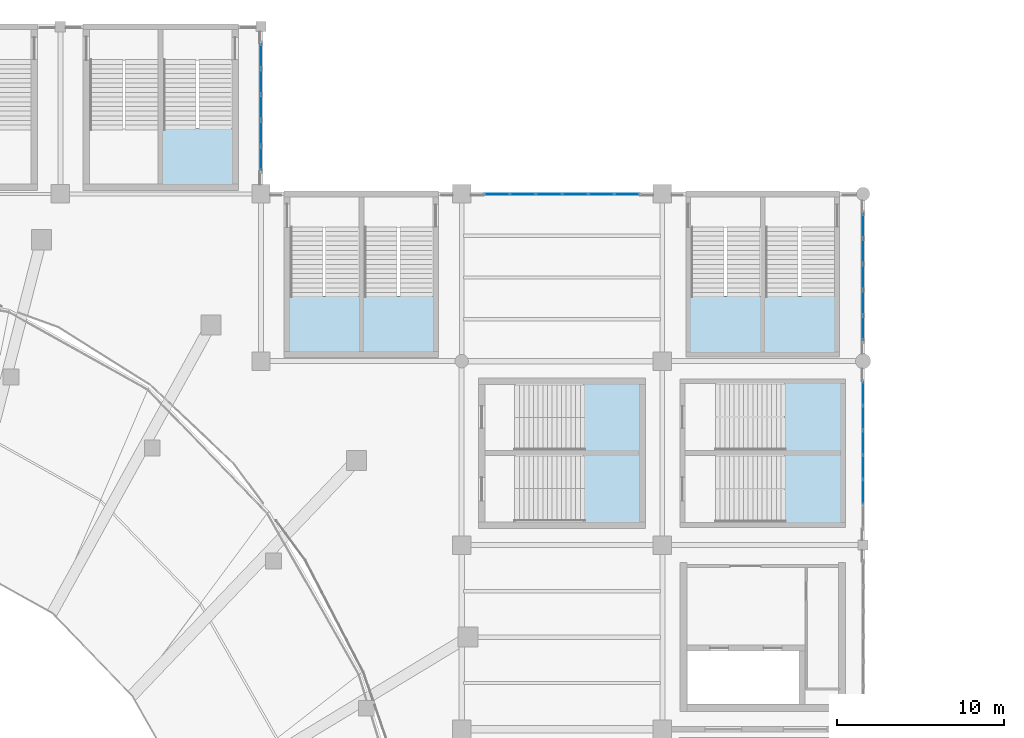
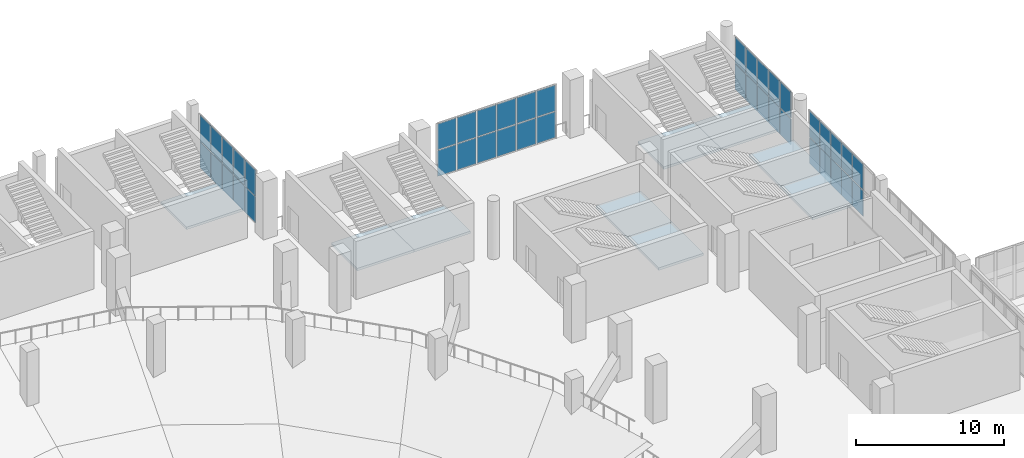
# One storey, part 104 of 136: 42 plates, 9 slabs, 13 elements without a shape of their own.
"""IFC4 building model written with IfcOpenShell, lengths in metres."""

from ifc_helpers import new_model, si_unit, direction, frame, origin, origin_2d, place, context, subcontext, project, spatial, polyline, rectangle, outline, extrude, material, layer, layer_set, type_object, element, aggregate, save


model = new_model("IFC4")

# Units and contexts
model_context = context("Model", 3, precision=1e-05, world=origin(), true_north=direction((0.0, 1.0)))
body_context = subcontext(model_context, "Body", "Model", "MODEL_VIEW")
ifc_project = project(units=[si_unit("LENGTHUNIT", "METRE"), si_unit("AREAUNIT", "SQUARE_METRE"), si_unit("VOLUMEUNIT", "CUBIC_METRE"), si_unit("PLANEANGLEUNIT", "RADIAN"), si_unit("MASSUNIT", "GRAM", prefix="KILO")], contexts=[model_context])

# Site, building, storey
site_placement = place(None, origin())
site = spatial("IfcSite", under=ifc_project, at=site_placement, CompositionType="ELEMENT")
building_placement = place(site_placement, origin())
building = spatial("IfcBuilding", under=site, at=building_placement, Name="Brinegate Civic Arena", CompositionType="ELEMENT")
storey_placement = place(building_placement, frame((0.0, 0.0, 5.39990234375)))
storey = spatial("IfcBuildingStorey", under=building, at=storey_placement, Name="L01", CompositionType="ELEMENT", Elevation=5.39990234375)

# Curtain wall, plates
ifc_material_1 = material(Name="Marine grade aluminium", Category="aluminium")
ifc_layer_1 = layer(ifc_material_1, 0.199951171875, Name="Marine grade aluminium")
ifc_layer_set_1 = layer_set([ifc_layer_1], Name="Marine grade aluminium")
curtain_wall_type_1 = type_object("IfcCurtainWallType", Name="CW-BOWL-GLAZED-01", PredefinedType="USERDEFINED", material=ifc_layer_set_1)
curtain_wall_1_placement = place(storey_placement, origin())
curtain_wall_1 = element("IfcCurtainWall", 1, at=curtain_wall_1_placement, inside=storey, type_object=curtain_wall_type_1, Name="Curtain Wall CWA-072", ObjectType="GLAZED CURTAIN WALL", PredefinedType="USERDEFINED")
ifc_material_2 = material(Name="Hurricane laminated low-E glass", Category="glass")
ifc_layer_2 = layer(ifc_material_2, 0.028076171875, Name="Hurricane laminated low-E glass")
ifc_layer_set_2 = layer_set([ifc_layer_2], Name="Hurricane laminated low-E glass")
plate_type_1 = type_object("IfcPlateType", Name="CW-PANEL-GLAZED-28", PredefinedType="CURTAIN_PANEL", material=ifc_layer_set_2)
plate_1_placement = place(storey_placement, frame((146.122802734375, 114.0, 0.06494140625), z_axis=(0.0, 0.0, 1.0), x_axis=(1.0, 0.0, 0.0)))
plate_1 = element("IfcPlate", 2, at=plate_1_placement, type_object=plate_type_1, Name="CWA-072 panel 1.1", PredefinedType="CURTAIN_PANEL", context=body_context, shape_type="SweptSolid", body=[
    extrude(rectangle(XDim=1.459716796875, YDim=0.028076171875, at=origin_2d()), origin(), (0.0, 0.0, 1.0), 2.137451171875),
])
plate_2_placement = place(storey_placement, frame((146.122802734375, 114.0, 2.267578125), z_axis=(0.0, 0.0, 1.0), x_axis=(1.0, 0.0, 0.0)))
plate_2 = element("IfcPlate", 3, at=plate_2_placement, type_object=plate_type_1, Name="CWA-072 panel 1.2", PredefinedType="CURTAIN_PANEL", context=body_context, shape_type="SweptSolid", body=[
    extrude(rectangle(XDim=1.459716796875, YDim=0.028076171875, at=origin_2d()), origin(), (0.0, 0.0, 1.0), 2.137451171875),
])
plate_3_placement = place(storey_placement, frame((147.6640625, 114.0, 0.06494140625), z_axis=(0.0, 0.0, 1.0), x_axis=(1.0, 0.0, 0.0)))
plate_3 = element("IfcPlate", 4, at=plate_3_placement, type_object=plate_type_1, Name="CWA-072 panel 2.1", PredefinedType="CURTAIN_PANEL", context=body_context, shape_type="SweptSolid", body=[
    extrude(rectangle(XDim=1.492431640625, YDim=0.028076171875, at=origin_2d()), origin(), (0.0, 0.0, 1.0), 2.137451171875),
])
plate_4_placement = place(storey_placement, frame((147.6640625, 114.0, 2.267578125), z_axis=(0.0, 0.0, 1.0), x_axis=(1.0, 0.0, 0.0)))
plate_4 = element("IfcPlate", 5, at=plate_4_placement, type_object=plate_type_1, Name="CWA-072 panel 2.2", PredefinedType="CURTAIN_PANEL", context=body_context, shape_type="SweptSolid", body=[
    extrude(rectangle(XDim=1.492431640625, YDim=0.028076171875, at=origin_2d()), origin(), (0.0, 0.0, 1.0), 2.137451171875),
])
plate_5_placement = place(storey_placement, frame((149.221435546875, 114.0, 0.06494140625), z_axis=(0.0, 0.0, 1.0), x_axis=(1.0, 0.0, 0.0)))
plate_5 = element("IfcPlate", 6, at=plate_5_placement, type_object=plate_type_1, Name="CWA-072 panel 3.1", PredefinedType="CURTAIN_PANEL", context=body_context, shape_type="SweptSolid", body=[
    extrude(rectangle(XDim=1.492431640625, YDim=0.028076171875, at=origin_2d()), origin(), (0.0, 0.0, 1.0), 2.137451171875),
])
plate_6_placement = place(storey_placement, frame((149.221435546875, 114.0, 2.267578125), z_axis=(0.0, 0.0, 1.0), x_axis=(1.0, 0.0, 0.0)))
plate_6 = element("IfcPlate", 7, at=plate_6_placement, type_object=plate_type_1, Name="CWA-072 panel 3.2", PredefinedType="CURTAIN_PANEL", context=body_context, shape_type="SweptSolid", body=[
    extrude(rectangle(XDim=1.492431640625, YDim=0.028076171875, at=origin_2d()), origin(), (0.0, 0.0, 1.0), 2.137451171875),
])
plate_7_placement = place(storey_placement, frame((150.778564453125, 114.0, 0.06494140625), z_axis=(0.0, 0.0, 1.0), x_axis=(1.0, 0.0, 0.0)))
plate_7 = element("IfcPlate", 8, at=plate_7_placement, type_object=plate_type_1, Name="CWA-072 panel 4.1", PredefinedType="CURTAIN_PANEL", context=body_context, shape_type="SweptSolid", body=[
    extrude(rectangle(XDim=1.492431640625, YDim=0.028076171875, at=origin_2d()), origin(), (0.0, 0.0, 1.0), 2.137451171875),
])
plate_8_placement = place(storey_placement, frame((150.778564453125, 114.0, 2.267578125), z_axis=(0.0, 0.0, 1.0), x_axis=(1.0, 0.0, 0.0)))
plate_8 = element("IfcPlate", 9, at=plate_8_placement, type_object=plate_type_1, Name="CWA-072 panel 4.2", PredefinedType="CURTAIN_PANEL", context=body_context, shape_type="SweptSolid", body=[
    extrude(rectangle(XDim=1.492431640625, YDim=0.028076171875, at=origin_2d()), origin(), (0.0, 0.0, 1.0), 2.137451171875),
])
plate_9_placement = place(storey_placement, frame((152.3359375, 114.0, 0.06494140625), z_axis=(0.0, 0.0, 1.0), x_axis=(1.0, 0.0, 0.0)))
plate_9 = element("IfcPlate", 10, at=plate_9_placement, type_object=plate_type_1, Name="CWA-072 panel 5.1", PredefinedType="CURTAIN_PANEL", context=body_context, shape_type="SweptSolid", body=[
    extrude(rectangle(XDim=1.492431640625, YDim=0.028076171875, at=origin_2d()), origin(), (0.0, 0.0, 1.0), 2.137451171875),
])
plate_10_placement = place(storey_placement, frame((152.3359375, 114.0, 2.267578125), z_axis=(0.0, 0.0, 1.0), x_axis=(1.0, 0.0, 0.0)))
plate_10 = element("IfcPlate", 11, at=plate_10_placement, type_object=plate_type_1, Name="CWA-072 panel 5.2", PredefinedType="CURTAIN_PANEL", context=body_context, shape_type="SweptSolid", body=[
    extrude(rectangle(XDim=1.492431640625, YDim=0.028076171875, at=origin_2d()), origin(), (0.0, 0.0, 1.0), 2.137451171875),
])
plate_11_placement = place(storey_placement, frame((153.877197265625, 114.0, 0.06494140625), z_axis=(0.0, 0.0, 1.0), x_axis=(1.0, 0.0, 0.0)))
plate_11 = element("IfcPlate", 12, at=plate_11_placement, type_object=plate_type_1, Name="CWA-072 panel 6.1", PredefinedType="CURTAIN_PANEL", context=body_context, shape_type="SweptSolid", body=[
    extrude(rectangle(XDim=1.459716796875, YDim=0.028076171875, at=origin_2d()), origin(), (0.0, 0.0, 1.0), 2.137451171875),
])
plate_12_placement = place(storey_placement, frame((153.877197265625, 114.0, 2.267578125), z_axis=(0.0, 0.0, 1.0), x_axis=(1.0, 0.0, 0.0)))
plate_12 = element("IfcPlate", 13, at=plate_12_placement, type_object=plate_type_1, Name="CWA-072 panel 6.2", PredefinedType="CURTAIN_PANEL", context=body_context, shape_type="SweptSolid", body=[
    extrude(rectangle(XDim=1.459716796875, YDim=0.028076171875, at=origin_2d()), origin(), (0.0, 0.0, 1.0), 2.137451171875),
])
aggregate(curtain_wall_1, [plate_1, plate_2, plate_3, plate_4, plate_5, plate_6, plate_7, plate_8, plate_9, plate_10, plate_11, plate_12])

curtain_wall_2_placement = place(storey_placement, origin())
curtain_wall_2 = element("IfcCurtainWall", 14, at=curtain_wall_2_placement, inside=storey, type_object=curtain_wall_type_1, Name="Curtain Wall CWA-059", ObjectType="GLAZED CURTAIN WALL", PredefinedType="USERDEFINED")
ifc_layer_3 = layer(ifc_material_2, 0.031982421875, Name="Hurricane laminated low-E glass")
ifc_layer_set_3 = layer_set([ifc_layer_3], Name="Hurricane laminated low-E glass")
plate_type_2 = type_object("IfcPlateType", Name="CW-PANEL-GLAZED-32", PredefinedType="CURTAIN_PANEL", material=ifc_layer_set_3)
plate_13_placement = place(storey_placement, frame((168.0, 96.18408203125, 0.074951171875), z_axis=(0.0, 0.0, 1.0), x_axis=(0.0, 1.0, 0.0)))
plate_13 = element("IfcPlate", 15, at=plate_13_placement, type_object=plate_type_2, Name="CWA-059 panel 2.1", PredefinedType="CURTAIN_PANEL", context=body_context, shape_type="SweptSolid", body=[
    extrude(rectangle(XDim=1.408447265625, YDim=0.031982421875, at=origin_2d()), origin(), (0.0, 0.0, 1.0), 2.12255859375),
])
plate_14_placement = place(storey_placement, frame((168.0, 96.18408203125, 2.2724609375), z_axis=(0.0, 0.0, 1.0), x_axis=(0.0, 1.0, 0.0)))
plate_14 = element("IfcPlate", 16, at=plate_14_placement, type_object=plate_type_2, Name="CWA-059 panel 2.2", PredefinedType="CURTAIN_PANEL", context=body_context, shape_type="SweptSolid", body=[
    extrude(rectangle(XDim=1.408447265625, YDim=0.031982421875, at=origin_2d()), origin(), (0.0, 0.0, 1.0), 2.12255859375),
])
plate_15_placement = place(storey_placement, frame((168.0, 97.6572265625, 0.074951171875), z_axis=(0.0, 0.0, 1.0), x_axis=(0.0, 1.0, 0.0)))
plate_15 = element("IfcPlate", 17, at=plate_15_placement, type_object=plate_type_2, Name="CWA-059 panel 3.1", PredefinedType="CURTAIN_PANEL", context=body_context, shape_type="SweptSolid", body=[
    extrude(rectangle(XDim=1.408447265625, YDim=0.031982421875, at=origin_2d()), origin(), (0.0, 0.0, 1.0), 2.12255859375),
])
plate_16_placement = place(storey_placement, frame((168.0, 97.6572265625, 2.2724609375), z_axis=(0.0, 0.0, 1.0), x_axis=(0.0, 1.0, 0.0)))
plate_16 = element("IfcPlate", 18, at=plate_16_placement, type_object=plate_type_2, Name="CWA-059 panel 3.2", PredefinedType="CURTAIN_PANEL", context=body_context, shape_type="SweptSolid", body=[
    extrude(rectangle(XDim=1.408447265625, YDim=0.031982421875, at=origin_2d()), origin(), (0.0, 0.0, 1.0), 2.12255859375),
])
plate_17_placement = place(storey_placement, frame((168.0, 99.130615234375, 0.074951171875), z_axis=(0.0, 0.0, 1.0), x_axis=(0.0, 1.0, 0.0)))
plate_17 = element("IfcPlate", 19, at=plate_17_placement, type_object=plate_type_2, Name="CWA-059 panel 4.1", PredefinedType="CURTAIN_PANEL", context=body_context, shape_type="SweptSolid", body=[
    extrude(rectangle(XDim=1.408447265625, YDim=0.031982421875, at=origin_2d()), origin(), (0.0, 0.0, 1.0), 2.12255859375),
])
plate_18_placement = place(storey_placement, frame((168.0, 99.130615234375, 2.2724609375), z_axis=(0.0, 0.0, 1.0), x_axis=(0.0, 1.0, 0.0)))
plate_18 = element("IfcPlate", 20, at=plate_18_placement, type_object=plate_type_2, Name="CWA-059 panel 4.2", PredefinedType="CURTAIN_PANEL", context=body_context, shape_type="SweptSolid", body=[
    extrude(rectangle(XDim=1.408447265625, YDim=0.031982421875, at=origin_2d()), origin(), (0.0, 0.0, 1.0), 2.12255859375),
])
plate_19_placement = place(storey_placement, frame((168.0, 100.60400390625, 0.074951171875), z_axis=(0.0, 0.0, 1.0), x_axis=(0.0, 1.0, 0.0)))
plate_19 = element("IfcPlate", 21, at=plate_19_placement, type_object=plate_type_2, Name="CWA-059 panel 5.1", PredefinedType="CURTAIN_PANEL", context=body_context, shape_type="SweptSolid", body=[
    extrude(rectangle(XDim=1.408447265625, YDim=0.031982421875, at=origin_2d()), origin(), (0.0, 0.0, 1.0), 2.12255859375),
])
plate_20_placement = place(storey_placement, frame((168.0, 100.60400390625, 2.2724609375), z_axis=(0.0, 0.0, 1.0), x_axis=(0.0, 1.0, 0.0)))
plate_20 = element("IfcPlate", 22, at=plate_20_placement, type_object=plate_type_2, Name="CWA-059 panel 5.2", PredefinedType="CURTAIN_PANEL", context=body_context, shape_type="SweptSolid", body=[
    extrude(rectangle(XDim=1.408447265625, YDim=0.031982421875, at=origin_2d()), origin(), (0.0, 0.0, 1.0), 2.12255859375),
])
plate_21_placement = place(storey_placement, frame((168.0, 102.06103515625, 0.074951171875), z_axis=(0.0, 0.0, 1.0), x_axis=(0.0, 1.0, 0.0)))
plate_21 = element("IfcPlate", 23, at=plate_21_placement, type_object=plate_type_2, Name="CWA-059 panel 6.1", PredefinedType="CURTAIN_PANEL", context=body_context, shape_type="SweptSolid", body=[
    extrude(rectangle(XDim=1.375732421875, YDim=0.031982421875, at=origin_2d()), origin(), (0.0, 0.0, 1.0), 2.12255859375),
])
plate_22_placement = place(storey_placement, frame((168.0, 102.06103515625, 2.2724609375), z_axis=(0.0, 0.0, 1.0), x_axis=(0.0, 1.0, 0.0)))
plate_22 = element("IfcPlate", 24, at=plate_22_placement, type_object=plate_type_2, Name="CWA-059 panel 6.2", PredefinedType="CURTAIN_PANEL", context=body_context, shape_type="SweptSolid", body=[
    extrude(rectangle(XDim=1.375732421875, YDim=0.031982421875, at=origin_2d()), origin(), (0.0, 0.0, 1.0), 2.12255859375),
])
aggregate(curtain_wall_2, [plate_13, plate_14, plate_15, plate_16, plate_17, plate_18, plate_19, plate_20, plate_21, plate_22])

curtain_wall_3_placement = place(storey_placement, origin())
curtain_wall_3 = element("IfcCurtainWall", 25, at=curtain_wall_3_placement, inside=storey, type_object=curtain_wall_type_1, Name="Curtain Wall CWA-061", ObjectType="GLAZED CURTAIN WALL", PredefinedType="USERDEFINED")
ifc_layer_4 = layer(ifc_material_2, 0.0419921875, Name="Hurricane laminated low-E glass")
ifc_layer_set_4 = layer_set([ifc_layer_4], Name="Hurricane laminated low-E glass")
plate_type_3 = type_object("IfcPlateType", Name="CW-PANEL-SPANDREL-42", PredefinedType="CURTAIN_PANEL", material=ifc_layer_set_4)
plate_23_placement = place(storey_placement, frame((168.0, 105.975830078125, 0.06494140625), z_axis=(0.0, 0.0, 1.0), x_axis=(0.0, 1.0, 0.0)))
plate_23 = element("IfcPlate", 26, at=plate_23_placement, type_object=plate_type_3, Name="CWA-061 panel 1.1", PredefinedType="CURTAIN_PANEL", context=body_context, shape_type="SweptSolid", body=[
    extrude(rectangle(XDim=1.419677734375, YDim=0.0419921875, at=origin_2d()), origin(), (0.0, 0.0, 1.0), 2.137451171875),
])
plate_24_placement = place(storey_placement, frame((168.0, 105.975830078125, 2.267578125), z_axis=(0.0, 0.0, 1.0), x_axis=(0.0, 1.0, 0.0)))
plate_24 = element("IfcPlate", 27, at=plate_24_placement, type_object=plate_type_3, Name="CWA-061 panel 1.2", PredefinedType="CURTAIN_PANEL", context=body_context, shape_type="SweptSolid", body=[
    extrude(rectangle(XDim=1.419677734375, YDim=0.0419921875, at=origin_2d()), origin(), (0.0, 0.0, 1.0), 2.137451171875),
])
plate_25_placement = place(storey_placement, frame((168.0, 107.495361328125, 0.06494140625), z_axis=(0.0, 0.0, 1.0), x_axis=(0.0, 1.0, 0.0)))
plate_25 = element("IfcPlate", 28, at=plate_25_placement, type_object=plate_type_3, Name="CWA-061 panel 2.1", PredefinedType="CURTAIN_PANEL", context=body_context, shape_type="SweptSolid", body=[
    extrude(rectangle(XDim=1.459716796875, YDim=0.0419921875, at=origin_2d()), origin(), (0.0, 0.0, 1.0), 2.137451171875),
])
plate_26_placement = place(storey_placement, frame((168.0, 107.495361328125, 2.267578125), z_axis=(0.0, 0.0, 1.0), x_axis=(0.0, 1.0, 0.0)))
plate_26 = element("IfcPlate", 29, at=plate_26_placement, type_object=plate_type_3, Name="CWA-061 panel 2.2", PredefinedType="CURTAIN_PANEL", context=body_context, shape_type="SweptSolid", body=[
    extrude(rectangle(XDim=1.459716796875, YDim=0.0419921875, at=origin_2d()), origin(), (0.0, 0.0, 1.0), 2.137451171875),
])
plate_27_placement = place(storey_placement, frame((168.0, 109.034912109375, 0.06494140625), z_axis=(0.0, 0.0, 1.0), x_axis=(0.0, 1.0, 0.0)))
plate_27 = element("IfcPlate", 30, at=plate_27_placement, type_object=plate_type_3, Name="CWA-061 panel 3.1", PredefinedType="CURTAIN_PANEL", context=body_context, shape_type="SweptSolid", body=[
    extrude(rectangle(XDim=1.459716796875, YDim=0.0419921875, at=origin_2d()), origin(), (0.0, 0.0, 1.0), 2.137451171875),
])
plate_28_placement = place(storey_placement, frame((168.0, 109.034912109375, 2.267578125), z_axis=(0.0, 0.0, 1.0), x_axis=(0.0, 1.0, 0.0)))
plate_28 = element("IfcPlate", 31, at=plate_28_placement, type_object=plate_type_3, Name="CWA-061 panel 3.2", PredefinedType="CURTAIN_PANEL", context=body_context, shape_type="SweptSolid", body=[
    extrude(rectangle(XDim=1.459716796875, YDim=0.0419921875, at=origin_2d()), origin(), (0.0, 0.0, 1.0), 2.137451171875),
])
plate_29_placement = place(storey_placement, frame((168.0, 110.57470703125, 0.06494140625), z_axis=(0.0, 0.0, 1.0), x_axis=(0.0, 1.0, 0.0)))
plate_29 = element("IfcPlate", 32, at=plate_29_placement, type_object=plate_type_3, Name="CWA-061 panel 4.1", PredefinedType="CURTAIN_PANEL", context=body_context, shape_type="SweptSolid", body=[
    extrude(rectangle(XDim=1.459716796875, YDim=0.0419921875, at=origin_2d()), origin(), (0.0, 0.0, 1.0), 2.137451171875),
])
plate_30_placement = place(storey_placement, frame((168.0, 110.57470703125, 2.267578125), z_axis=(0.0, 0.0, 1.0), x_axis=(0.0, 1.0, 0.0)))
plate_30 = element("IfcPlate", 33, at=plate_30_placement, type_object=plate_type_3, Name="CWA-061 panel 4.2", PredefinedType="CURTAIN_PANEL", context=body_context, shape_type="SweptSolid", body=[
    extrude(rectangle(XDim=1.459716796875, YDim=0.0419921875, at=origin_2d()), origin(), (0.0, 0.0, 1.0), 2.137451171875),
])
plate_31_placement = place(storey_placement, frame((168.0, 112.09423828125, 0.06494140625), z_axis=(0.0, 0.0, 1.0), x_axis=(0.0, 1.0, 0.0)))
plate_31 = element("IfcPlate", 34, at=plate_31_placement, type_object=plate_type_3, Name="CWA-061 panel 5.1", PredefinedType="CURTAIN_PANEL", context=body_context, shape_type="SweptSolid", body=[
    extrude(rectangle(XDim=1.419677734375, YDim=0.0419921875, at=origin_2d()), origin(), (0.0, 0.0, 1.0), 2.137451171875),
])
plate_32_placement = place(storey_placement, frame((168.0, 112.09423828125, 2.267578125), z_axis=(0.0, 0.0, 1.0), x_axis=(0.0, 1.0, 0.0)))
plate_32 = element("IfcPlate", 35, at=plate_32_placement, type_object=plate_type_3, Name="CWA-061 panel 5.2", PredefinedType="CURTAIN_PANEL", context=body_context, shape_type="SweptSolid", body=[
    extrude(rectangle(XDim=1.419677734375, YDim=0.0419921875, at=origin_2d()), origin(), (0.0, 0.0, 1.0), 2.137451171875),
])
aggregate(curtain_wall_3, [plate_23, plate_24, plate_25, plate_26, plate_27, plate_28, plate_29, plate_30, plate_31, plate_32])

ifc_layer_5 = layer(ifc_material_1, 0.235107421875, Name="Marine grade aluminium")
ifc_layer_set_5 = layer_set([ifc_layer_5], Name="Marine grade aluminium")
curtain_wall_type_2 = type_object("IfcCurtainWallType", Name="CW-PORTAL-NORTH-01", PredefinedType="USERDEFINED", material=ifc_layer_set_5)
curtain_wall_4_placement = place(storey_placement, origin())
curtain_wall_4 = element("IfcCurtainWall", 36, at=curtain_wall_4_placement, inside=storey, type_object=curtain_wall_type_2, Name="Curtain Wall CWA-069", ObjectType="PORTAL CURTAIN WALL", PredefinedType="USERDEFINED")
plate_33_placement = place(storey_placement, frame((132.0, 116.117919921875, 0.06494140625), z_axis=(0.0, 0.0, 1.0), x_axis=(0.0, 1.0, 0.0)))
plate_33 = element("IfcPlate", 37, at=plate_33_placement, type_object=plate_type_3, Name="CWA-069 panel 1.1", PredefinedType="CURTAIN_PANEL", context=body_context, shape_type="SweptSolid", body=[
    extrude(rectangle(XDim=1.419677734375, YDim=0.0419921875, at=origin_2d()), origin(), (0.0, 0.0, 1.0), 2.137451171875),
])
plate_34_placement = place(storey_placement, frame((132.0, 116.117919921875, 2.267578125), z_axis=(0.0, 0.0, 1.0), x_axis=(0.0, 1.0, 0.0)))
plate_34 = element("IfcPlate", 38, at=plate_34_placement, type_object=plate_type_3, Name="CWA-069 panel 1.2", PredefinedType="CURTAIN_PANEL", context=body_context, shape_type="SweptSolid", body=[
    extrude(rectangle(XDim=1.419677734375, YDim=0.0419921875, at=origin_2d()), origin(), (0.0, 0.0, 1.0), 2.137451171875),
])
plate_35_placement = place(storey_placement, frame((132.0, 117.637451171875, 0.06494140625), z_axis=(0.0, 0.0, 1.0), x_axis=(0.0, 1.0, 0.0)))
plate_35 = element("IfcPlate", 39, at=plate_35_placement, type_object=plate_type_3, Name="CWA-069 panel 2.1", PredefinedType="CURTAIN_PANEL", context=body_context, shape_type="SweptSolid", body=[
    extrude(rectangle(XDim=1.459716796875, YDim=0.0419921875, at=origin_2d()), origin(), (0.0, 0.0, 1.0), 2.137451171875),
])
plate_36_placement = place(storey_placement, frame((132.0, 117.637451171875, 2.267578125), z_axis=(0.0, 0.0, 1.0), x_axis=(0.0, 1.0, 0.0)))
plate_36 = element("IfcPlate", 40, at=plate_36_placement, type_object=plate_type_3, Name="CWA-069 panel 2.2", PredefinedType="CURTAIN_PANEL", context=body_context, shape_type="SweptSolid", body=[
    extrude(rectangle(XDim=1.459716796875, YDim=0.0419921875, at=origin_2d()), origin(), (0.0, 0.0, 1.0), 2.137451171875),
])
plate_37_placement = place(storey_placement, frame((132.0, 119.177001953125, 0.06494140625), z_axis=(0.0, 0.0, 1.0), x_axis=(0.0, 1.0, 0.0)))
plate_37 = element("IfcPlate", 41, at=plate_37_placement, type_object=plate_type_3, Name="CWA-069 panel 3.1", PredefinedType="CURTAIN_PANEL", context=body_context, shape_type="SweptSolid", body=[
    extrude(rectangle(XDim=1.459716796875, YDim=0.0419921875, at=origin_2d()), origin(), (0.0, 0.0, 1.0), 2.137451171875),
])
plate_38_placement = place(storey_placement, frame((132.0, 119.177001953125, 2.267578125), z_axis=(0.0, 0.0, 1.0), x_axis=(0.0, 1.0, 0.0)))
plate_38 = element("IfcPlate", 42, at=plate_38_placement, type_object=plate_type_3, Name="CWA-069 panel 3.2", PredefinedType="CURTAIN_PANEL", context=body_context, shape_type="SweptSolid", body=[
    extrude(rectangle(XDim=1.459716796875, YDim=0.0419921875, at=origin_2d()), origin(), (0.0, 0.0, 1.0), 2.137451171875),
])
plate_39_placement = place(storey_placement, frame((132.0, 120.716552734375, 0.06494140625), z_axis=(0.0, 0.0, 1.0), x_axis=(0.0, 1.0, 0.0)))
plate_39 = element("IfcPlate", 43, at=plate_39_placement, type_object=plate_type_3, Name="CWA-069 panel 4.1", PredefinedType="CURTAIN_PANEL", context=body_context, shape_type="SweptSolid", body=[
    extrude(rectangle(XDim=1.459716796875, YDim=0.0419921875, at=origin_2d()), origin(), (0.0, 0.0, 1.0), 2.137451171875),
])
plate_40_placement = place(storey_placement, frame((132.0, 120.716552734375, 2.267578125), z_axis=(0.0, 0.0, 1.0), x_axis=(0.0, 1.0, 0.0)))
plate_40 = element("IfcPlate", 44, at=plate_40_placement, type_object=plate_type_3, Name="CWA-069 panel 4.2", PredefinedType="CURTAIN_PANEL", context=body_context, shape_type="SweptSolid", body=[
    extrude(rectangle(XDim=1.459716796875, YDim=0.0419921875, at=origin_2d()), origin(), (0.0, 0.0, 1.0), 2.137451171875),
])
plate_41_placement = place(storey_placement, frame((132.0, 122.236083984375, 0.06494140625), z_axis=(0.0, 0.0, 1.0), x_axis=(0.0, 1.0, 0.0)))
plate_41 = element("IfcPlate", 45, at=plate_41_placement, type_object=plate_type_3, Name="CWA-069 panel 5.1", PredefinedType="CURTAIN_PANEL", context=body_context, shape_type="SweptSolid", body=[
    extrude(rectangle(XDim=1.419677734375, YDim=0.0419921875, at=origin_2d()), origin(), (0.0, 0.0, 1.0), 2.137451171875),
])
plate_42_placement = place(storey_placement, frame((132.0, 122.236083984375, 2.267578125), z_axis=(0.0, 0.0, 1.0), x_axis=(0.0, 1.0, 0.0)))
plate_42 = element("IfcPlate", 46, at=plate_42_placement, type_object=plate_type_3, Name="CWA-069 panel 5.2", PredefinedType="CURTAIN_PANEL", context=body_context, shape_type="SweptSolid", body=[
    extrude(rectangle(XDim=1.419677734375, YDim=0.0419921875, at=origin_2d()), origin(), (0.0, 0.0, 1.0), 2.137451171875),
])
aggregate(curtain_wall_4, [plate_33, plate_34, plate_35, plate_36, plate_37, plate_38, plate_39, plate_40, plate_41, plate_42])

# Stair, slab
ifc_material_3 = material(Name="Concrete C40/50", Category="concrete")
stair_type_1 = type_object("IfcStairType", Name="STAIR-EXIT-3700", PredefinedType="HALF_TURN_STAIR", material=ifc_material_3)
stair_1_placement = place(storey_placement, origin())
stair_1 = element("IfcStair", 47, at=stair_1_placement, inside=storey, type_object=stair_type_1, Name="Protected Exit Stair ST-03B (L01)", PredefinedType="HALF_TURN_STAIR")
ifc_layer_6 = layer(ifc_material_3, 0.199951171875, Name="Concrete C40/50")
ifc_layer_set_6 = layer_set([ifc_layer_6], Name="Concrete C40/50")
slab_type = type_object("IfcSlabType", Name="SLAB-LANDING-200", PredefinedType="LANDING", material=ifc_layer_set_6)
slab_1_placement = place(storey_placement, frame((0.0, 0.0, 2.2001953125)))
slab_1 = element("IfcSlab", 48, at=slab_1_placement, type_object=slab_type, Name="ST-03B landing 1", PredefinedType="LANDING", context=body_context, shape_type="SweptSolid", body=[
    extrude(outline(polyline([(125.9951171875, 114.39990234375), (130.405029296875, 114.39990234375), (130.405029296875, 117.909912109375), (125.9951171875, 117.909912109375), (125.9951171875, 114.39990234375)])), origin(), (0.0, 0.0, 1.0), 0.199951171875),
])
aggregate(stair_1, [slab_1])

stair_type_2 = type_object("IfcStairType", Name="STAIR-EXIT-3850", PredefinedType="HALF_TURN_STAIR", material=ifc_material_3)
stair_2_placement = place(storey_placement, origin())
stair_2 = element("IfcStair", 49, at=stair_2_placement, inside=storey, type_object=stair_type_2, Name="Protected Exit Stair ST-05A (L01)", PredefinedType="HALF_TURN_STAIR")
slab_2_placement = place(storey_placement, frame((0.0, 0.0, 2.2001953125)))
slab_2 = element("IfcSlab", 50, at=slab_2_placement, type_object=slab_type, Name="ST-05A landing 1", PredefinedType="LANDING", context=body_context, shape_type="SweptSolid", body=[
    extrude(outline(polyline([(157.544921875, 104.39990234375), (162.0048828125, 104.39990234375), (162.0048828125, 107.909912109375), (157.544921875, 107.909912109375), (157.544921875, 104.39990234375)])), origin(), (0.0, 0.0, 1.0), 0.199951171875),
])
aggregate(stair_2, [slab_2])

stair_3_placement = place(storey_placement, origin())
stair_3 = element("IfcStair", 51, at=stair_3_placement, inside=storey, type_object=stair_type_1, Name="Protected Exit Stair ST-05B (L01)", PredefinedType="HALF_TURN_STAIR")
slab_3_placement = place(storey_placement, frame((0.0, 0.0, 2.2001953125)))
slab_3 = element("IfcSlab", 52, at=slab_3_placement, type_object=slab_type, Name="ST-05B landing 1", PredefinedType="LANDING", context=body_context, shape_type="SweptSolid", body=[
    extrude(outline(polyline([(161.9951171875, 104.39990234375), (166.455078125, 104.39990234375), (166.455078125, 107.909912109375), (161.9951171875, 107.909912109375), (161.9951171875, 104.39990234375)])), origin(), (0.0, 0.0, 1.0), 0.199951171875),
])
aggregate(stair_3, [slab_3])

stair_4_placement = place(storey_placement, origin())
stair_4 = element("IfcStair", 53, at=stair_4_placement, inside=storey, type_object=stair_type_2, Name="Protected Exit Stair ST-13A (L01)", PredefinedType="HALF_TURN_STAIR")
slab_4_placement = place(storey_placement, frame((0.0, 0.0, 2.2001953125)))
slab_4 = element("IfcSlab", 54, at=slab_4_placement, type_object=slab_type, Name="ST-13A landing 1", PredefinedType="LANDING", context=body_context, shape_type="SweptSolid", body=[
    extrude(outline(polyline([(133.574951171875, 104.39990234375), (138.0048828125, 104.39990234375), (138.0048828125, 107.909912109375), (133.574951171875, 107.909912109375), (133.574951171875, 104.39990234375)])), origin(), (0.0, 0.0, 1.0), 0.199951171875),
])
aggregate(stair_4, [slab_4])

stair_5_placement = place(storey_placement, origin())
stair_5 = element("IfcStair", 55, at=stair_5_placement, inside=storey, type_object=stair_type_1, Name="Protected Exit Stair ST-13B (L01)", PredefinedType="HALF_TURN_STAIR")
slab_5_placement = place(storey_placement, frame((0.0, 0.0, 2.2001953125)))
slab_5 = element("IfcSlab", 56, at=slab_5_placement, type_object=slab_type, Name="ST-13B landing 1", PredefinedType="LANDING", context=body_context, shape_type="SweptSolid", body=[
    extrude(outline(polyline([(137.9951171875, 104.39990234375), (142.425048828125, 104.39990234375), (142.425048828125, 107.909912109375), (137.9951171875, 107.909912109375), (137.9951171875, 104.39990234375)])), origin(), (0.0, 0.0, 1.0), 0.199951171875),
])
aggregate(stair_5, [slab_5])

stair_6_placement = place(storey_placement, origin())
stair_6 = element("IfcStair", 57, at=stair_6_placement, inside=storey, type_object=stair_type_2, Name="Protected Exit Stair ST-18A (L01)", PredefinedType="HALF_TURN_STAIR")
slab_6_placement = place(storey_placement, frame((0.0, 0.0, 2.2001953125)))
slab_6 = element("IfcSlab", 58, at=slab_6_placement, type_object=slab_type, Name="ST-18A landing 1", PredefinedType="LANDING", context=body_context, shape_type="SweptSolid", body=[
    extrude(outline(polyline([(151.2900390625, 94.2451171875), (154.800048828125, 94.2451171875), (154.800048828125, 98.5048828125), (151.2900390625, 98.5048828125), (151.2900390625, 94.2451171875)])), origin(), (0.0, 0.0, 1.0), 0.199951171875),
])
aggregate(stair_6, [slab_6])

stair_7_placement = place(storey_placement, origin())
stair_7 = element("IfcStair", 59, at=stair_7_placement, inside=storey, type_object=stair_type_1, Name="Protected Exit Stair ST-18B (L01)", PredefinedType="HALF_TURN_STAIR")
slab_7_placement = place(storey_placement, frame((0.0, 0.0, 2.2001953125)))
slab_7 = element("IfcSlab", 60, at=slab_7_placement, type_object=slab_type, Name="ST-18B landing 1", PredefinedType="LANDING", context=body_context, shape_type="SweptSolid", body=[
    extrude(outline(polyline([(151.2900390625, 98.4951171875), (154.800048828125, 98.4951171875), (154.800048828125, 102.7548828125), (151.2900390625, 102.7548828125), (151.2900390625, 98.4951171875)])), origin(), (0.0, 0.0, 1.0), 0.199951171875),
])
aggregate(stair_7, [slab_7])

stair_8_placement = place(storey_placement, origin())
stair_8 = element("IfcStair", 61, at=stair_8_placement, inside=storey, type_object=stair_type_2, Name="Protected Exit Stair ST-20A (L01)", PredefinedType="HALF_TURN_STAIR")
slab_8_placement = place(storey_placement, frame((0.0, 0.0, 2.2001953125)))
slab_8 = element("IfcSlab", 62, at=slab_8_placement, type_object=slab_type, Name="ST-20A landing 1", PredefinedType="LANDING", context=body_context, shape_type="SweptSolid", body=[
    extrude(outline(polyline([(163.2900390625, 94.195068359375), (166.800048828125, 94.195068359375), (166.800048828125, 98.5048828125), (163.2900390625, 98.5048828125), (163.2900390625, 94.195068359375)])), origin(), (0.0, 0.0, 1.0), 0.199951171875),
])
aggregate(stair_8, [slab_8])

stair_9_placement = place(storey_placement, origin())
stair_9 = element("IfcStair", 63, at=stair_9_placement, inside=storey, type_object=stair_type_1, Name="Protected Exit Stair ST-20B (L01)", PredefinedType="HALF_TURN_STAIR")
slab_9_placement = place(storey_placement, frame((0.0, 0.0, 2.2001953125)))
slab_9 = element("IfcSlab", 64, at=slab_9_placement, type_object=slab_type, Name="ST-20B landing 1", PredefinedType="LANDING", context=body_context, shape_type="SweptSolid", body=[
    extrude(outline(polyline([(163.2900390625, 98.4951171875), (166.800048828125, 98.4951171875), (166.800048828125, 102.804931640625), (163.2900390625, 102.804931640625), (163.2900390625, 98.4951171875)])), origin(), (0.0, 0.0, 1.0), 0.199951171875),
])
aggregate(stair_9, [slab_9])

save(model, "model.ifc")
